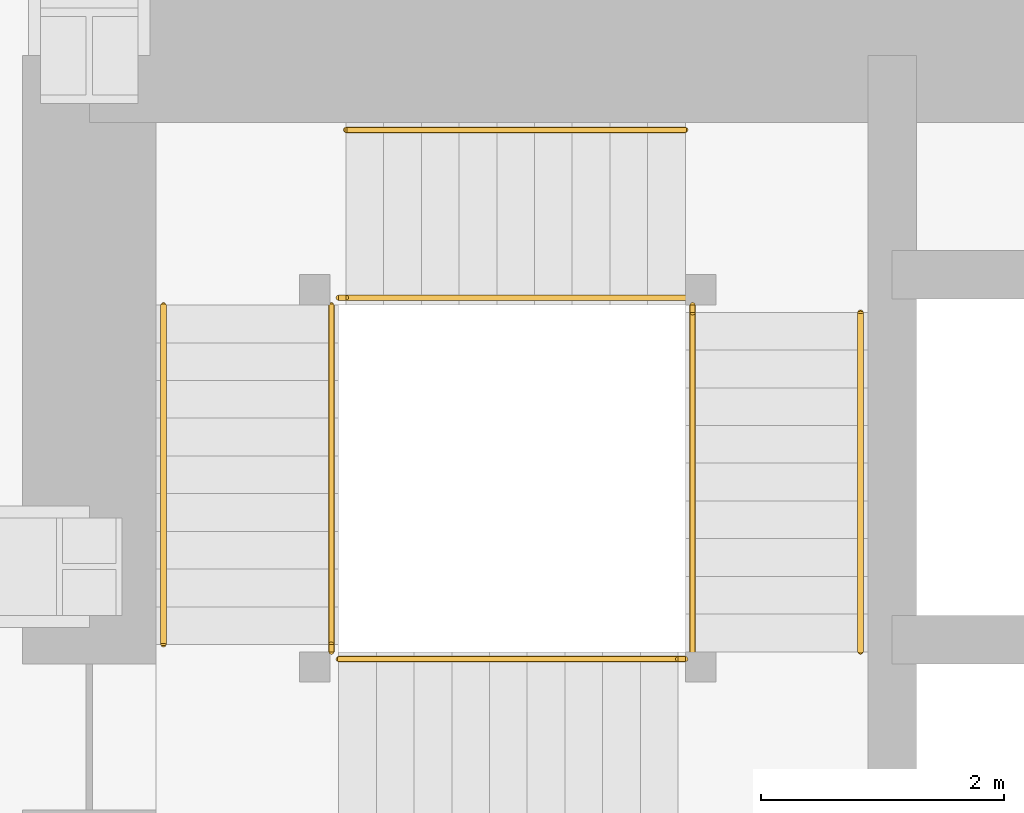
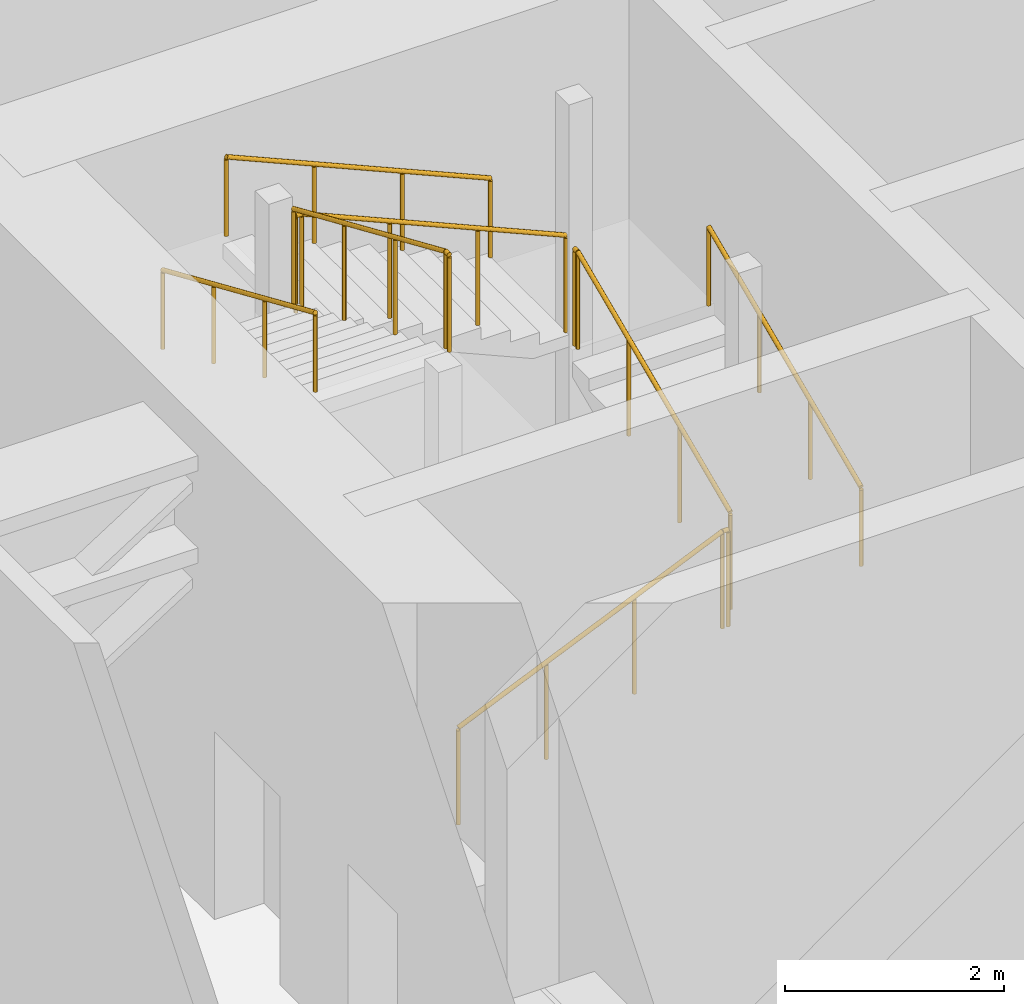
# One storey, part 15 of 16: 11 railings.
"""IFC4 building model written with IfcOpenShell, lengths in metres."""

from ifc_helpers import new_model, si_unit, direction, frame, origin, origin_2d, place, context, subcontext, project, spatial, circle, extrude, material, type_object, element, save


model = new_model("IFC4")

# Units and contexts
model_context = context("Model", 3, precision=1e-05, world=origin(), true_north=direction((0.0, 1.0)))
body_context = subcontext(model_context, "Body", "Model", "MODEL_VIEW")
ifc_project = project(units=[si_unit("LENGTHUNIT", "METRE"), si_unit("AREAUNIT", "SQUARE_METRE"), si_unit("VOLUMEUNIT", "CUBIC_METRE"), si_unit("PLANEANGLEUNIT", "RADIAN"), si_unit("MASSUNIT", "GRAM", prefix="KILO")], contexts=[model_context])

# Site, building, storey
site_placement = place(None, origin())
site = spatial("IfcSite", under=ifc_project, at=site_placement, CompositionType="ELEMENT")
building_placement = place(site_placement, origin())
building = spatial("IfcBuilding", under=site, at=building_placement, Name="Rekha Terrace Tower", CompositionType="ELEMENT")
storey_placement = place(building_placement, frame((0.0, 0.0, 240.199951171875)))
storey = spatial("IfcBuildingStorey", under=building, at=storey_placement, Name="L61", CompositionType="ELEMENT", Elevation=240.199951171875)

# Railings
ifc_material_1 = material(Name="Stainless steel balustrade", Category="steel")
railing_type_1 = type_object("IfcRailingType", Name="GR1 1100 stair guard", PredefinedType="GUARDRAIL", material=ifc_material_1)
railing_1_placement = place(storey_placement, frame((27.25, 41.239990234375, 0.135009765625)))
element("IfcRailing", 1, at=railing_1_placement, inside=storey, type_object=railing_type_1, Name="Guard ST4 L61 flight 1", PredefinedType="GUARDRAIL", context=body_context, shape_type="SweptSolid", body=[
    extrude(circle(Radius=0.02392578125, at=origin_2d()), frame((0.0, 0.0, 1.076171875), z_axis=(0.916826272601, 0.0, 0.399286345707), x_axis=(0.0, 1.0, 0.0)), (0.0, 0.0, 1.0), 3.043212890625),
    extrude(circle(Radius=0.02099609375, at=origin_2d()), origin(), (0.0, 0.0, 1.0), 1.052001953125),
    extrude(circle(Radius=0.02099609375, at=origin_2d()), frame((0.929931640625, 0.0, 0.405029296875)), (0.0, 0.0, 1.0), 1.052001953125),
    extrude(circle(Radius=0.02099609375, at=origin_2d()), frame((1.860107421875, 0.0, 0.81005859375)), (0.0, 0.0, 1.0), 1.052001953125),
    extrude(circle(Radius=0.02099609375, at=origin_2d()), frame((2.7900390625, 0.0, 1.215087890625)), (0.0, 0.0, 1.0), 1.052001953125),
])
railing_2_placement = place(storey_placement, frame((30.159912109375, 41.300048828125, 1.485107421875)))
element("IfcRailing", 2, at=railing_2_placement, inside=storey, type_object=railing_type_1, Name="Guard ST4 L61 flight 2", PredefinedType="GUARDRAIL", context=body_context, shape_type="SweptSolid", body=[
    extrude(circle(Radius=0.02392578125, at=origin_2d()), frame((0.0, 0.0, 1.076171875), z_axis=(0.0, 0.916855640006, 0.399218906604), x_axis=(-1.0, 0.0, 0.0)), (0.0, 0.0, 1.0), 3.04296875),
    extrude(circle(Radius=0.02099609375, at=origin_2d()), origin(), (0.0, 0.0, 1.0), 1.052001953125),
    extrude(circle(Radius=0.02099609375, at=origin_2d()), frame((0.0, 0.929931640625, 0.405029296875)), (0.0, 0.0, 1.0), 1.052001953125),
    extrude(circle(Radius=0.02099609375, at=origin_2d()), frame((0.0, 1.860107421875, 0.809814453125)), (0.0, 0.0, 1.0), 1.052001953125),
    extrude(circle(Radius=0.02099609375, at=origin_2d()), frame((0.0, 2.7900390625, 1.21484375)), (0.0, 0.0, 1.0), 1.052001953125),
])
railing_3_placement = place(storey_placement, frame((30.10009765625, 44.2099609375, 2.8349609375)))
element("IfcRailing", 3, at=railing_3_placement, inside=storey, type_object=railing_type_1, Name="Guard ST4 L61 flight 3", PredefinedType="GUARDRAIL", context=body_context, shape_type="SweptSolid", body=[
    extrude(circle(Radius=0.02392578125, at=origin_2d()), frame((0.0, 0.0, 1.076171875), z_axis=(-0.916826272601, 0.0, 0.399286345707), x_axis=(0.0, -1.0, 0.0)), (0.0, 0.0, 1.0), 3.043212890625),
    extrude(circle(Radius=0.02099609375, at=origin_2d()), origin(), (0.0, 0.0, 1.0), 1.052001953125),
    extrude(circle(Radius=0.02099609375, at=origin_2d()), frame((-0.929931640625, 0.0, 0.405029296875)), (0.0, 0.0, 1.0), 1.052001953125),
    extrude(circle(Radius=0.02099609375, at=origin_2d()), frame((-1.860107421875, 0.0, 0.81005859375)), (0.0, 0.0, 1.0), 1.052001953125),
    extrude(circle(Radius=0.02099609375, at=origin_2d()), frame((-2.7900390625, 0.0, 1.215087890625)), (0.0, 0.0, 1.0), 1.052001953125),
])
railing_4_placement = place(storey_placement, frame((27.18994140625, 44.14990234375, 4.18505859375)))
element("IfcRailing", 4, at=railing_4_placement, inside=storey, type_object=railing_type_1, Name="Guard ST4 L61 flight 4", PredefinedType="GUARDRAIL", context=body_context, shape_type="SweptSolid", body=[
    extrude(circle(Radius=0.02392578125, at=origin_2d()), frame((0.0, 0.0, 1.076171875), z_axis=(0.0, -0.916813480743, 0.399315716606), x_axis=(1.0, 0.0, 0.0)), (0.0, 0.0, 1.0), 3.04296875),
    extrude(circle(Radius=0.02099609375, at=origin_2d()), origin(), (0.0, 0.0, 1.0), 1.052001953125),
    extrude(circle(Radius=0.02099609375, at=origin_2d()), frame((0.0, -0.929931640625, 0.405029296875)), (0.0, 0.0, 1.0), 1.052001953125),
    extrude(circle(Radius=0.02099609375, at=origin_2d()), frame((0.0, -1.85986328125, 0.81005859375)), (0.0, 0.0, 1.0), 1.052001953125),
    extrude(circle(Radius=0.02099609375, at=origin_2d()), frame((0.0, -2.789794921875, 1.215087890625)), (0.0, 0.0, 1.0), 1.052001953125),
])
railing_5_placement = place(storey_placement, frame((30.0400390625, 41.239990234375, 1.35009765625)))
element("IfcRailing", 5, at=railing_5_placement, inside=storey, type_object=railing_type_1, Name="Guard ST4 L61 landing 1", PredefinedType="GUARDRAIL", context=body_context, shape_type="SweptSolid", body=[
    extrude(circle(Radius=0.02392578125, at=origin_2d()), frame((0.0, 0.0, 1.076171875), z_axis=(1.0, 0.0, 0.0), x_axis=(0.0, 1.0, 0.0)), (0.0, 0.0, 1.0), 0.06005859375),
    extrude(circle(Radius=0.02099609375, at=origin_2d()), origin(), (0.0, 0.0, 1.0), 1.052001953125),
    extrude(circle(Radius=0.02099609375, at=origin_2d()), frame((0.06005859375, 0.0, 0.0)), (0.0, 0.0, 1.0), 1.052001953125),
])
railing_6_placement = place(storey_placement, frame((30.159912109375, 44.090087890625, 2.699951171875)))
element("IfcRailing", 6, at=railing_6_placement, inside=storey, type_object=railing_type_1, Name="Guard ST4 L61 landing 2", PredefinedType="GUARDRAIL", context=body_context, shape_type="SweptSolid", body=[
    extrude(circle(Radius=0.02392578125, at=origin_2d()), frame((0.0, 0.0, 1.076171875), z_axis=(0.0, 1.0, 0.0), x_axis=(-1.0, 0.0, 0.0)), (0.0, 0.0, 1.0), 0.059814453125),
    extrude(circle(Radius=0.02099609375, at=origin_2d()), origin(), (0.0, 0.0, 1.0), 1.052001953125),
    extrude(circle(Radius=0.02099609375, at=origin_2d()), frame((0.0, 0.059814453125, 0.0)), (0.0, 0.0, 1.0), 1.052001953125),
])
railing_7_placement = place(storey_placement, frame((27.25, 44.2099609375, 4.050048828125)))
element("IfcRailing", 7, at=railing_7_placement, inside=storey, type_object=railing_type_1, Name="Guard ST4 L61 landing 3", PredefinedType="GUARDRAIL", context=body_context, shape_type="SweptSolid", body=[
    extrude(circle(Radius=0.02392578125, at=origin_2d()), frame((0.0, 0.0, 1.076171875), z_axis=(1.0, 0.0, 0.0), x_axis=(0.0, 1.0, 0.0)), (0.0, 0.0, 1.0), 0.06005859375),
    extrude(circle(Radius=0.02099609375, at=origin_2d()), origin(), (0.0, 0.0, 1.0), 1.052001953125),
    extrude(circle(Radius=0.02099609375, at=origin_2d()), frame((0.06005859375, 0.0, 0.0)), (0.0, 0.0, 1.0), 1.052001953125),
])
railing_8_placement = place(storey_placement, frame((27.18994140625, 41.300048828125, 5.400146484375)))
element("IfcRailing", 8, at=railing_8_placement, inside=storey, type_object=railing_type_1, Name="Guard ST4 L61 landing 4", PredefinedType="GUARDRAIL", context=body_context, shape_type="SweptSolid", body=[
    extrude(circle(Radius=0.02392578125, at=origin_2d()), frame((0.0, 0.0, 1.076171875), z_axis=(0.0, 1.0, 0.0), x_axis=(-1.0, 0.0, 0.0)), (0.0, 0.0, 1.0), 0.06005859375),
    extrude(circle(Radius=0.02099609375, at=origin_2d()), origin(), (0.0, 0.0, 1.0), 1.052001953125),
    extrude(circle(Radius=0.02099609375, at=origin_2d()), frame((0.0, 0.06005859375, 0.0)), (0.0, 0.0, 1.0), 1.052001953125),
])
ifc_material_2 = material(Name="Stainless steel tube", Category="steel")
railing_type_2 = type_object("IfcRailingType", Name="HR1 900 stair handrail", PredefinedType="HANDRAIL", material=ifc_material_2)
railing_9_placement = place(storey_placement, frame((31.5400390625, 41.300048828125, 1.485107421875)))
element("IfcRailing", 9, at=railing_9_placement, inside=storey, type_object=railing_type_2, Name="Handrail ST4 L61 flight 2", PredefinedType="HANDRAIL", context=body_context, shape_type="SweptSolid", body=[
    extrude(circle(Radius=0.02392578125, at=origin_2d()), frame((0.0, 0.0, 0.8759765625), z_axis=(0.0, 0.916855640006, 0.399218906604), x_axis=(-1.0, 0.0, 0.0)), (0.0, 0.0, 1.0), 3.04296875),
    extrude(circle(Radius=0.02099609375, at=origin_2d()), origin(), (0.0, 0.0, 1.0), 0.851806640625),
    extrude(circle(Radius=0.02099609375, at=origin_2d()), frame((0.0, 0.929931640625, 0.405029296875)), (0.0, 0.0, 1.0), 0.851806640625),
    extrude(circle(Radius=0.02099609375, at=origin_2d()), frame((0.0, 1.860107421875, 0.809814453125)), (0.0, 0.0, 1.0), 0.851806640625),
    extrude(circle(Radius=0.02099609375, at=origin_2d()), frame((0.0, 2.7900390625, 1.21484375)), (0.0, 0.0, 1.0), 0.851806640625),
])
railing_10_placement = place(storey_placement, frame((30.10009765625, 45.590087890625, 2.8349609375)))
element("IfcRailing", 10, at=railing_10_placement, inside=storey, type_object=railing_type_2, Name="Handrail ST4 L61 flight 3", PredefinedType="HANDRAIL", context=body_context, shape_type="SweptSolid", body=[
    extrude(circle(Radius=0.02392578125, at=origin_2d()), frame((0.0, 0.0, 0.8759765625), z_axis=(-0.916826272601, 0.0, 0.399286345707), x_axis=(0.0, -1.0, 0.0)), (0.0, 0.0, 1.0), 3.043212890625),
    extrude(circle(Radius=0.02099609375, at=origin_2d()), origin(), (0.0, 0.0, 1.0), 0.851806640625),
    extrude(circle(Radius=0.02099609375, at=origin_2d()), frame((-0.929931640625, 0.0, 0.405029296875)), (0.0, 0.0, 1.0), 0.851806640625),
    extrude(circle(Radius=0.02099609375, at=origin_2d()), frame((-1.860107421875, 0.0, 0.81005859375)), (0.0, 0.0, 1.0), 0.851806640625),
    extrude(circle(Radius=0.02099609375, at=origin_2d()), frame((-2.7900390625, 0.0, 1.215087890625)), (0.0, 0.0, 1.0), 0.851806640625),
])
railing_11_placement = place(storey_placement, frame((25.81005859375, 44.14990234375, 4.18505859375)))
element("IfcRailing", 11, at=railing_11_placement, inside=storey, type_object=railing_type_2, Name="Handrail ST4 L61 flight 4", PredefinedType="HANDRAIL", context=body_context, shape_type="SweptSolid", body=[
    extrude(circle(Radius=0.02392578125, at=origin_2d()), frame((0.0, 0.0, 0.8759765625), z_axis=(0.0, -0.916813480743, 0.399315716606), x_axis=(1.0, 0.0, 0.0)), (0.0, 0.0, 1.0), 3.04296875),
    extrude(circle(Radius=0.02099609375, at=origin_2d()), origin(), (0.0, 0.0, 1.0), 0.851806640625),
    extrude(circle(Radius=0.02099609375, at=origin_2d()), frame((0.0, -0.929931640625, 0.405029296875)), (0.0, 0.0, 1.0), 0.851806640625),
    extrude(circle(Radius=0.02099609375, at=origin_2d()), frame((0.0, -1.85986328125, 0.81005859375)), (0.0, 0.0, 1.0), 0.851806640625),
    extrude(circle(Radius=0.02099609375, at=origin_2d()), frame((0.0, -2.789794921875, 1.215087890625)), (0.0, 0.0, 1.0), 0.851806640625),
])

save(model, "model.ifc")
